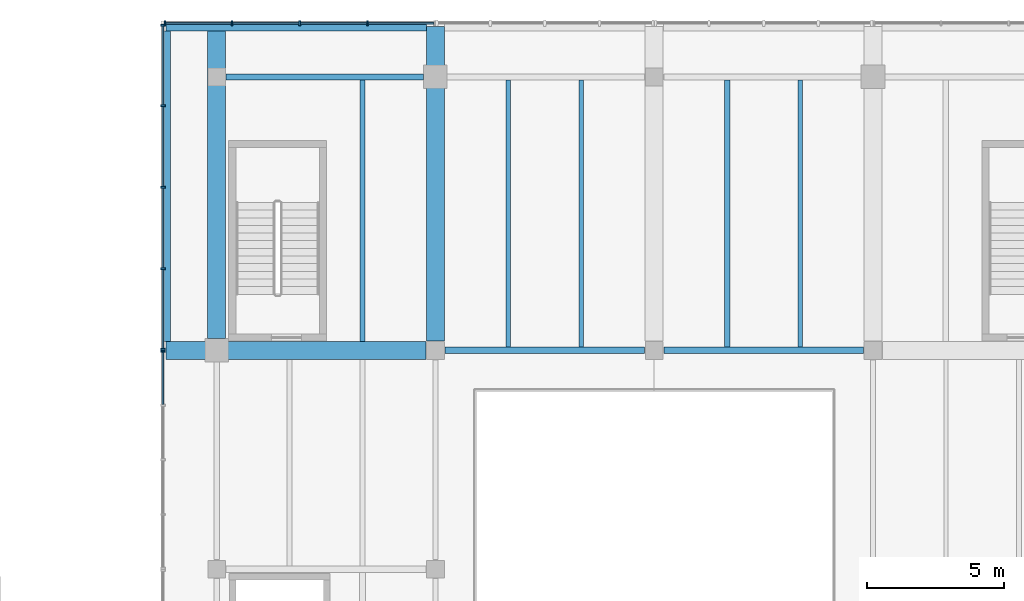
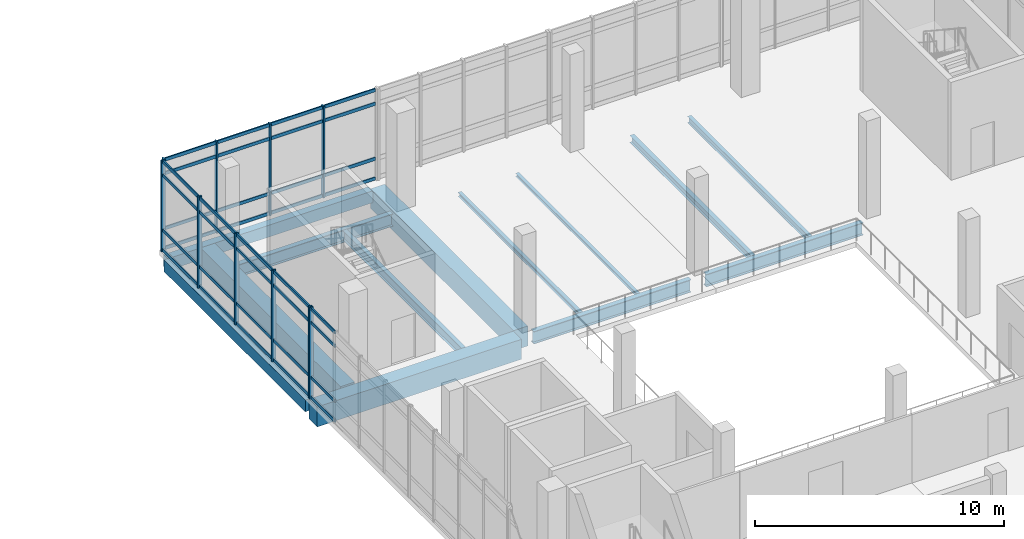
# One storey, part 12 of 28: 46 members, 13 beams, 3 elements without a shape of their own.
"""IFC4 building model written with IfcOpenShell, lengths in metres."""

from ifc_helpers import new_model, si_unit, direction, frame, origin, origin_2d, place, context, subcontext, project, spatial, rectangle, i_section, extrude, material, material_profile, profile_set, type_object, element, aggregate, save


model = new_model("IFC4")

# Units and contexts
model_context = context("Model", 3, precision=1e-05, world=origin(), true_north=direction((0.0, 1.0)))
body_context = subcontext(model_context, "Body", "Model", "MODEL_VIEW")
ifc_project = project(units=[si_unit("LENGTHUNIT", "METRE"), si_unit("AREAUNIT", "SQUARE_METRE"), si_unit("VOLUMEUNIT", "CUBIC_METRE"), si_unit("PLANEANGLEUNIT", "RADIAN"), si_unit("MASSUNIT", "GRAM", prefix="KILO")], contexts=[model_context])

# Site, building, storey
site_placement = place(None, origin())
site = spatial("IfcSite", under=ifc_project, at=site_placement, CompositionType="ELEMENT")
building_placement = place(site_placement, origin())
building = spatial("IfcBuilding", under=site, at=building_placement, Name="Pecanmere Concourse Central Library", CompositionType="ELEMENT")
storey_placement = place(building_placement, frame((0.0, 0.0, 20.10009765625)))
storey = spatial("IfcBuildingStorey", under=building, at=storey_placement, Name="L05", CompositionType="ELEMENT", Elevation=20.10009765625)

# Curtain wall, members
ifc_material_1 = material(Name="Anodized bronze aluminium alloy 6063-T6", Category="aluminium")
curtain_wall_type = type_object("IfcCurtainWallType", Name="CW_PLUMB_BANDED", PredefinedType="USERDEFINED", material=ifc_material_1)
curtain_wall_1_placement = place(storey_placement, origin())
curtain_wall_1 = element("IfcCurtainWall", 1, at=curtain_wall_1_placement, inside=storey, type_object=curtain_wall_type, Name="Unitised Curtain Wall CW-02 L05-057", ObjectType="UNITISED CURTAIN WALL", PredefinedType="USERDEFINED")
ifc_material_2 = material(Name="Anodized bronze aluminium alloy 6063-T6", Category="aluminium")
ifc_material_profile_1 = material_profile(ifc_material_2, rectangle(XDim=0.06494140625, YDim=0.179931640625, at=origin_2d()), Name="AL 65x180")
ifc_profile_set_1 = profile_set([ifc_material_profile_1], Name="Anodized bronze aluminium alloy 6063-T6")
member_type_1 = type_object("IfcMemberType", Name="CWM_180x65", PredefinedType="MULLION", material=ifc_profile_set_1)
member_1_placement = place(storey_placement, frame((77.515869140625, 125.96142578125, 0.0), z_axis=(0.0, 0.0, 1.0), x_axis=(-1.0, 0.0, 0.0)))
member_1 = element("IfcMember", 2, at=member_1_placement, type_object=member_type_1, Name="CW-02 Mullion 2", PredefinedType="MULLION", context=body_context, shape_type="SweptSolid", body=[
    extrude(rectangle(XDim=0.06494140625, YDim=0.179931640625, at=origin_2d()), origin(), (0.0, 0.0, 1.0), 4.5),
])
member_2_placement = place(storey_placement, frame((75.036865234375, 125.96142578125, 0.0), z_axis=(0.0, 0.0, 1.0), x_axis=(-1.0, 0.0, 0.0)))
member_2 = element("IfcMember", 3, at=member_2_placement, type_object=member_type_1, Name="CW-02 Mullion 3", PredefinedType="MULLION", context=body_context, shape_type="SweptSolid", body=[
    extrude(rectangle(XDim=0.06494140625, YDim=0.179931640625, at=origin_2d()), origin(), (0.0, 0.0, 1.0), 4.5),
])
member_3_placement = place(storey_placement, frame((72.5576171875, 125.96142578125, 0.0), z_axis=(0.0, 0.0, 1.0), x_axis=(-1.0, 0.0, 0.0)))
member_3 = element("IfcMember", 4, at=member_3_placement, type_object=member_type_1, Name="CW-02 Mullion 4", PredefinedType="MULLION", context=body_context, shape_type="SweptSolid", body=[
    extrude(rectangle(XDim=0.06494140625, YDim=0.179931640625, at=origin_2d()), origin(), (0.0, 0.0, 1.0), 4.5),
])
member_4_placement = place(storey_placement, frame((70.111083984375, 125.96142578125, 0.0), z_axis=(0.0, 0.0, 1.0), x_axis=(-1.0, 0.0, 0.0)))
member_4 = element("IfcMember", 5, at=member_4_placement, type_object=member_type_1, Name="CW-02 Mullion 5", PredefinedType="MULLION", context=body_context, shape_type="SweptSolid", body=[
    extrude(rectangle(XDim=0.06494140625, YDim=0.179931640625, at=origin_2d()), origin(), (0.0, 0.0, 1.0), 4.5),
])

curtain_wall_2_placement = place(storey_placement, origin())
curtain_wall_2 = element("IfcCurtainWall", 6, at=curtain_wall_2_placement, inside=storey, type_object=curtain_wall_type, Name="Unitised Curtain Wall CW-02 L05-066", ObjectType="UNITISED CURTAIN WALL", PredefinedType="USERDEFINED")
member_5_placement = place(storey_placement, frame((70.03857421875, 125.888916015625, 0.0), z_axis=(0.0, 0.0, 1.0), x_axis=(0.0, -1.0, 0.0)))
member_5 = element("IfcMember", 7, at=member_5_placement, type_object=member_type_1, Name="CW-02 Mullion 1", PredefinedType="MULLION", context=body_context, shape_type="SweptSolid", body=[
    extrude(rectangle(XDim=0.06494140625, YDim=0.179931640625, at=origin_2d()), origin(), (0.0, 0.0, 1.0), 4.5),
])
member_6_placement = place(storey_placement, frame((70.03857421875, 122.9423828125, 0.0), z_axis=(0.0, 0.0, 1.0), x_axis=(0.0, -1.0, 0.0)))
member_6 = element("IfcMember", 8, at=member_6_placement, type_object=member_type_1, Name="CW-02 Mullion 2", PredefinedType="MULLION", context=body_context, shape_type="SweptSolid", body=[
    extrude(rectangle(XDim=0.06494140625, YDim=0.179931640625, at=origin_2d()), origin(), (0.0, 0.0, 1.0), 4.5),
])
member_7_placement = place(storey_placement, frame((70.03857421875, 119.963134765625, 0.0), z_axis=(0.0, 0.0, 1.0), x_axis=(0.0, -1.0, 0.0)))
member_7 = element("IfcMember", 9, at=member_7_placement, type_object=member_type_1, Name="CW-02 Mullion 3", PredefinedType="MULLION", context=body_context, shape_type="SweptSolid", body=[
    extrude(rectangle(XDim=0.06494140625, YDim=0.179931640625, at=origin_2d()), origin(), (0.0, 0.0, 1.0), 4.5),
])
member_8_placement = place(storey_placement, frame((70.03857421875, 116.984130859375, 0.0), z_axis=(0.0, 0.0, 1.0), x_axis=(0.0, -1.0, 0.0)))
member_8 = element("IfcMember", 10, at=member_8_placement, type_object=member_type_1, Name="CW-02 Mullion 4", PredefinedType="MULLION", context=body_context, shape_type="SweptSolid", body=[
    extrude(rectangle(XDim=0.06494140625, YDim=0.179931640625, at=origin_2d()), origin(), (0.0, 0.0, 1.0), 4.5),
])
member_9_placement = place(storey_placement, frame((70.03857421875, 114.03759765625, 0.0), z_axis=(0.0, 0.0, 1.0), x_axis=(0.0, -1.0, 0.0)))
member_9 = element("IfcMember", 11, at=member_9_placement, type_object=member_type_1, Name="CW-02 Mullion 5", PredefinedType="MULLION", context=body_context, shape_type="SweptSolid", body=[
    extrude(rectangle(XDim=0.06494140625, YDim=0.179931640625, at=origin_2d()), origin(), (0.0, 0.0, 1.0), 4.5),
])

# Curtain wall, member
curtain_wall_3_placement = place(storey_placement, origin())
curtain_wall_3 = element("IfcCurtainWall", 12, at=curtain_wall_3_placement, inside=storey, type_object=curtain_wall_type, Name="Unitised Curtain Wall CW-02 L05-067", ObjectType="UNITISED CURTAIN WALL", PredefinedType="USERDEFINED")
member_10_placement = place(storey_placement, frame((70.03857421875, 113.96240234375, 0.0), z_axis=(0.0, 0.0, 1.0), x_axis=(0.0, -1.0, 0.0)))
member_10 = element("IfcMember", 13, at=member_10_placement, type_object=member_type_1, Name="CW-02 Mullion 1", PredefinedType="MULLION", context=body_context, shape_type="SweptSolid", body=[
    extrude(rectangle(XDim=0.06494140625, YDim=0.179931640625, at=origin_2d()), origin(), (0.0, 0.0, 1.0), 4.5),
])

# Member
ifc_material_3 = material(Name="Anodized bronze aluminium alloy 6063-T6", Category="aluminium")
ifc_material_profile_2 = material_profile(ifc_material_3, rectangle(XDim=0.06005859375, YDim=0.159912109375, at=origin_2d()), Name="AL 60x160")
ifc_profile_set_2 = profile_set([ifc_material_profile_2], Name="Anodized bronze aluminium alloy 6063-T6")
member_type_2 = type_object("IfcMemberType", Name="CWT_160x60", PredefinedType="USERDEFINED", material=ifc_profile_set_2)
member_11_placement = place(storey_placement, frame((79.929931640625, 125.96142578125, 0.079833984375), z_axis=(-1.0, 0.0, 0.0), x_axis=(0.0, -1.0, 0.0)))
member_11 = element("IfcMember", 14, at=member_11_placement, type_object=member_type_2, Name="CW-02 Transom 1.1", ObjectType="TRANSOM", PredefinedType="USERDEFINED", context=body_context, shape_type="SweptSolid", body=[
    extrude(rectangle(XDim=0.06005859375, YDim=0.159912109375, at=origin_2d()), origin(), (0.0, 0.0, 1.0), 2.381591796875),
])

member_12_placement = place(storey_placement, frame((79.929931640625, 125.96142578125, 1.0498046875), z_axis=(-1.0, 0.0, 0.0), x_axis=(0.0, -1.0, 0.0)))
member_12 = element("IfcMember", 15, at=member_12_placement, type_object=member_type_2, Name="CW-02 Transom 1.2", ObjectType="TRANSOM", PredefinedType="USERDEFINED", context=body_context, shape_type="SweptSolid", body=[
    extrude(rectangle(XDim=0.06005859375, YDim=0.159912109375, at=origin_2d()), origin(), (0.0, 0.0, 1.0), 2.381591796875),
])

member_13_placement = place(storey_placement, frame((79.929931640625, 125.96142578125, 3.75), z_axis=(-1.0, 0.0, 0.0), x_axis=(0.0, -1.0, 0.0)))
member_13 = element("IfcMember", 16, at=member_13_placement, type_object=member_type_2, Name="CW-02 Transom 1.3", ObjectType="TRANSOM", PredefinedType="USERDEFINED", context=body_context, shape_type="SweptSolid", body=[
    extrude(rectangle(XDim=0.06005859375, YDim=0.159912109375, at=origin_2d()), origin(), (0.0, 0.0, 1.0), 2.381591796875),
])

member_14_placement = place(storey_placement, frame((79.929931640625, 125.96142578125, 4.419921875), z_axis=(-1.0, 0.0, 0.0), x_axis=(0.0, -1.0, 0.0)))
member_14 = element("IfcMember", 17, at=member_14_placement, type_object=member_type_2, Name="CW-02 Transom 1.4", ObjectType="TRANSOM", PredefinedType="USERDEFINED", context=body_context, shape_type="SweptSolid", body=[
    extrude(rectangle(XDim=0.06005859375, YDim=0.159912109375, at=origin_2d()), origin(), (0.0, 0.0, 1.0), 2.381591796875),
])

member_15_placement = place(storey_placement, frame((77.4833984375, 125.96142578125, 0.079833984375), z_axis=(-1.0, 0.0, 0.0), x_axis=(0.0, -1.0, 0.0)))
member_15 = element("IfcMember", 18, at=member_15_placement, type_object=member_type_2, Name="CW-02 Transom 2.1", ObjectType="TRANSOM", PredefinedType="USERDEFINED", context=body_context, shape_type="SweptSolid", body=[
    extrude(rectangle(XDim=0.06005859375, YDim=0.159912109375, at=origin_2d()), origin(), (0.0, 0.0, 1.0), 2.4140625),
])

member_16_placement = place(storey_placement, frame((77.4833984375, 125.96142578125, 1.0498046875), z_axis=(-1.0, 0.0, 0.0), x_axis=(0.0, -1.0, 0.0)))
member_16 = element("IfcMember", 19, at=member_16_placement, type_object=member_type_2, Name="CW-02 Transom 2.2", ObjectType="TRANSOM", PredefinedType="USERDEFINED", context=body_context, shape_type="SweptSolid", body=[
    extrude(rectangle(XDim=0.06005859375, YDim=0.159912109375, at=origin_2d()), origin(), (0.0, 0.0, 1.0), 2.4140625),
])

member_17_placement = place(storey_placement, frame((77.4833984375, 125.96142578125, 3.75), z_axis=(-1.0, 0.0, 0.0), x_axis=(0.0, -1.0, 0.0)))
member_17 = element("IfcMember", 20, at=member_17_placement, type_object=member_type_2, Name="CW-02 Transom 2.3", ObjectType="TRANSOM", PredefinedType="USERDEFINED", context=body_context, shape_type="SweptSolid", body=[
    extrude(rectangle(XDim=0.06005859375, YDim=0.159912109375, at=origin_2d()), origin(), (0.0, 0.0, 1.0), 2.4140625),
])

member_18_placement = place(storey_placement, frame((77.4833984375, 125.96142578125, 4.419921875), z_axis=(-1.0, 0.0, 0.0), x_axis=(0.0, -1.0, 0.0)))
member_18 = element("IfcMember", 21, at=member_18_placement, type_object=member_type_2, Name="CW-02 Transom 2.4", ObjectType="TRANSOM", PredefinedType="USERDEFINED", context=body_context, shape_type="SweptSolid", body=[
    extrude(rectangle(XDim=0.06005859375, YDim=0.159912109375, at=origin_2d()), origin(), (0.0, 0.0, 1.0), 2.4140625),
])

member_19_placement = place(storey_placement, frame((75.004150390625, 125.96142578125, 0.079833984375), z_axis=(-1.0, 0.0, 0.0), x_axis=(0.0, -1.0, 0.0)))
member_19 = element("IfcMember", 22, at=member_19_placement, type_object=member_type_2, Name="CW-02 Transom 3.1", ObjectType="TRANSOM", PredefinedType="USERDEFINED", context=body_context, shape_type="SweptSolid", body=[
    extrude(rectangle(XDim=0.06005859375, YDim=0.159912109375, at=origin_2d()), origin(), (0.0, 0.0, 1.0), 2.4140625),
])

member_20_placement = place(storey_placement, frame((75.004150390625, 125.96142578125, 1.0498046875), z_axis=(-1.0, 0.0, 0.0), x_axis=(0.0, -1.0, 0.0)))
member_20 = element("IfcMember", 23, at=member_20_placement, type_object=member_type_2, Name="CW-02 Transom 3.2", ObjectType="TRANSOM", PredefinedType="USERDEFINED", context=body_context, shape_type="SweptSolid", body=[
    extrude(rectangle(XDim=0.06005859375, YDim=0.159912109375, at=origin_2d()), origin(), (0.0, 0.0, 1.0), 2.4140625),
])

member_21_placement = place(storey_placement, frame((75.004150390625, 125.96142578125, 3.75), z_axis=(-1.0, 0.0, 0.0), x_axis=(0.0, -1.0, 0.0)))
member_21 = element("IfcMember", 24, at=member_21_placement, type_object=member_type_2, Name="CW-02 Transom 3.3", ObjectType="TRANSOM", PredefinedType="USERDEFINED", context=body_context, shape_type="SweptSolid", body=[
    extrude(rectangle(XDim=0.06005859375, YDim=0.159912109375, at=origin_2d()), origin(), (0.0, 0.0, 1.0), 2.4140625),
])

member_22_placement = place(storey_placement, frame((75.004150390625, 125.96142578125, 4.419921875), z_axis=(-1.0, 0.0, 0.0), x_axis=(0.0, -1.0, 0.0)))
member_22 = element("IfcMember", 25, at=member_22_placement, type_object=member_type_2, Name="CW-02 Transom 3.4", ObjectType="TRANSOM", PredefinedType="USERDEFINED", context=body_context, shape_type="SweptSolid", body=[
    extrude(rectangle(XDim=0.06005859375, YDim=0.159912109375, at=origin_2d()), origin(), (0.0, 0.0, 1.0), 2.4140625),
])

member_23_placement = place(storey_placement, frame((72.525146484375, 125.96142578125, 0.079833984375), z_axis=(-1.0, 0.0, 0.0), x_axis=(0.0, -1.0, 0.0)))
member_23 = element("IfcMember", 26, at=member_23_placement, type_object=member_type_2, Name="CW-02 Transom 4.1", ObjectType="TRANSOM", PredefinedType="USERDEFINED", context=body_context, shape_type="SweptSolid", body=[
    extrude(rectangle(XDim=0.06005859375, YDim=0.159912109375, at=origin_2d()), origin(), (0.0, 0.0, 1.0), 2.381591796875),
])

member_24_placement = place(storey_placement, frame((72.525146484375, 125.96142578125, 1.0498046875), z_axis=(-1.0, 0.0, 0.0), x_axis=(0.0, -1.0, 0.0)))
member_24 = element("IfcMember", 27, at=member_24_placement, type_object=member_type_2, Name="CW-02 Transom 4.2", ObjectType="TRANSOM", PredefinedType="USERDEFINED", context=body_context, shape_type="SweptSolid", body=[
    extrude(rectangle(XDim=0.06005859375, YDim=0.159912109375, at=origin_2d()), origin(), (0.0, 0.0, 1.0), 2.381591796875),
])

member_25_placement = place(storey_placement, frame((72.525146484375, 125.96142578125, 3.75), z_axis=(-1.0, 0.0, 0.0), x_axis=(0.0, -1.0, 0.0)))
member_25 = element("IfcMember", 28, at=member_25_placement, type_object=member_type_2, Name="CW-02 Transom 4.3", ObjectType="TRANSOM", PredefinedType="USERDEFINED", context=body_context, shape_type="SweptSolid", body=[
    extrude(rectangle(XDim=0.06005859375, YDim=0.159912109375, at=origin_2d()), origin(), (0.0, 0.0, 1.0), 2.381591796875),
])

member_26_placement = place(storey_placement, frame((72.525146484375, 125.96142578125, 4.419921875), z_axis=(-1.0, 0.0, 0.0), x_axis=(0.0, -1.0, 0.0)))
member_26 = element("IfcMember", 29, at=member_26_placement, type_object=member_type_2, Name="CW-02 Transom 4.4", ObjectType="TRANSOM", PredefinedType="USERDEFINED", context=body_context, shape_type="SweptSolid", body=[
    extrude(rectangle(XDim=0.06005859375, YDim=0.159912109375, at=origin_2d()), origin(), (0.0, 0.0, 1.0), 2.381591796875),
])

aggregate(curtain_wall_1, [member_1, member_2, member_3, member_4, member_11, member_12, member_13, member_14, member_15, member_16, member_17, member_18, member_19, member_20, member_21, member_22, member_23, member_24, member_25, member_26])

member_27_placement = place(storey_placement, frame((70.03857421875, 125.8564453125, 0.079833984375), z_axis=(0.0, -1.0, 0.0), x_axis=(1.0, 0.0, 0.0)))
member_27 = element("IfcMember", 30, at=member_27_placement, type_object=member_type_2, Name="CW-02 Transom 1.1", ObjectType="TRANSOM", PredefinedType="USERDEFINED", context=body_context, shape_type="SweptSolid", body=[
    extrude(rectangle(XDim=0.06005859375, YDim=0.159912109375, at=origin_2d()), origin(), (0.0, 0.0, 1.0), 2.881591796875),
])

member_28_placement = place(storey_placement, frame((70.03857421875, 125.8564453125, 1.0498046875), z_axis=(0.0, -1.0, 0.0), x_axis=(1.0, 0.0, 0.0)))
member_28 = element("IfcMember", 31, at=member_28_placement, type_object=member_type_2, Name="CW-02 Transom 1.2", ObjectType="TRANSOM", PredefinedType="USERDEFINED", context=body_context, shape_type="SweptSolid", body=[
    extrude(rectangle(XDim=0.06005859375, YDim=0.159912109375, at=origin_2d()), origin(), (0.0, 0.0, 1.0), 2.881591796875),
])

member_29_placement = place(storey_placement, frame((70.03857421875, 125.8564453125, 3.75), z_axis=(0.0, -1.0, 0.0), x_axis=(1.0, 0.0, 0.0)))
member_29 = element("IfcMember", 32, at=member_29_placement, type_object=member_type_2, Name="CW-02 Transom 1.3", ObjectType="TRANSOM", PredefinedType="USERDEFINED", context=body_context, shape_type="SweptSolid", body=[
    extrude(rectangle(XDim=0.06005859375, YDim=0.159912109375, at=origin_2d()), origin(), (0.0, 0.0, 1.0), 2.881591796875),
])

member_30_placement = place(storey_placement, frame((70.03857421875, 125.8564453125, 4.419921875), z_axis=(0.0, -1.0, 0.0), x_axis=(1.0, 0.0, 0.0)))
member_30 = element("IfcMember", 33, at=member_30_placement, type_object=member_type_2, Name="CW-02 Transom 1.4", ObjectType="TRANSOM", PredefinedType="USERDEFINED", context=body_context, shape_type="SweptSolid", body=[
    extrude(rectangle(XDim=0.06005859375, YDim=0.159912109375, at=origin_2d()), origin(), (0.0, 0.0, 1.0), 2.881591796875),
])

member_31_placement = place(storey_placement, frame((70.03857421875, 122.909912109375, 0.079833984375), z_axis=(0.0, -1.0, 0.0), x_axis=(1.0, 0.0, 0.0)))
member_31 = element("IfcMember", 34, at=member_31_placement, type_object=member_type_2, Name="CW-02 Transom 2.1", ObjectType="TRANSOM", PredefinedType="USERDEFINED", context=body_context, shape_type="SweptSolid", body=[
    extrude(rectangle(XDim=0.06005859375, YDim=0.159912109375, at=origin_2d()), origin(), (0.0, 0.0, 1.0), 2.9140625),
])

member_32_placement = place(storey_placement, frame((70.03857421875, 122.909912109375, 1.0498046875), z_axis=(0.0, -1.0, 0.0), x_axis=(1.0, 0.0, 0.0)))
member_32 = element("IfcMember", 35, at=member_32_placement, type_object=member_type_2, Name="CW-02 Transom 2.2", ObjectType="TRANSOM", PredefinedType="USERDEFINED", context=body_context, shape_type="SweptSolid", body=[
    extrude(rectangle(XDim=0.06005859375, YDim=0.159912109375, at=origin_2d()), origin(), (0.0, 0.0, 1.0), 2.9140625),
])

member_33_placement = place(storey_placement, frame((70.03857421875, 122.909912109375, 3.75), z_axis=(0.0, -1.0, 0.0), x_axis=(1.0, 0.0, 0.0)))
member_33 = element("IfcMember", 36, at=member_33_placement, type_object=member_type_2, Name="CW-02 Transom 2.3", ObjectType="TRANSOM", PredefinedType="USERDEFINED", context=body_context, shape_type="SweptSolid", body=[
    extrude(rectangle(XDim=0.06005859375, YDim=0.159912109375, at=origin_2d()), origin(), (0.0, 0.0, 1.0), 2.9140625),
])

member_34_placement = place(storey_placement, frame((70.03857421875, 122.909912109375, 4.419921875), z_axis=(0.0, -1.0, 0.0), x_axis=(1.0, 0.0, 0.0)))
member_34 = element("IfcMember", 37, at=member_34_placement, type_object=member_type_2, Name="CW-02 Transom 2.4", ObjectType="TRANSOM", PredefinedType="USERDEFINED", context=body_context, shape_type="SweptSolid", body=[
    extrude(rectangle(XDim=0.06005859375, YDim=0.159912109375, at=origin_2d()), origin(), (0.0, 0.0, 1.0), 2.9140625),
])

member_35_placement = place(storey_placement, frame((70.03857421875, 119.9306640625, 0.079833984375), z_axis=(0.0, -1.0, 0.0), x_axis=(1.0, 0.0, 0.0)))
member_35 = element("IfcMember", 38, at=member_35_placement, type_object=member_type_2, Name="CW-02 Transom 3.1", ObjectType="TRANSOM", PredefinedType="USERDEFINED", context=body_context, shape_type="SweptSolid", body=[
    extrude(rectangle(XDim=0.06005859375, YDim=0.159912109375, at=origin_2d()), origin(), (0.0, 0.0, 1.0), 2.9140625),
])

member_36_placement = place(storey_placement, frame((70.03857421875, 119.9306640625, 1.0498046875), z_axis=(0.0, -1.0, 0.0), x_axis=(1.0, 0.0, 0.0)))
member_36 = element("IfcMember", 39, at=member_36_placement, type_object=member_type_2, Name="CW-02 Transom 3.2", ObjectType="TRANSOM", PredefinedType="USERDEFINED", context=body_context, shape_type="SweptSolid", body=[
    extrude(rectangle(XDim=0.06005859375, YDim=0.159912109375, at=origin_2d()), origin(), (0.0, 0.0, 1.0), 2.9140625),
])

member_37_placement = place(storey_placement, frame((70.03857421875, 119.9306640625, 3.75), z_axis=(0.0, -1.0, 0.0), x_axis=(1.0, 0.0, 0.0)))
member_37 = element("IfcMember", 40, at=member_37_placement, type_object=member_type_2, Name="CW-02 Transom 3.3", ObjectType="TRANSOM", PredefinedType="USERDEFINED", context=body_context, shape_type="SweptSolid", body=[
    extrude(rectangle(XDim=0.06005859375, YDim=0.159912109375, at=origin_2d()), origin(), (0.0, 0.0, 1.0), 2.9140625),
])

member_38_placement = place(storey_placement, frame((70.03857421875, 119.9306640625, 4.419921875), z_axis=(0.0, -1.0, 0.0), x_axis=(1.0, 0.0, 0.0)))
member_38 = element("IfcMember", 41, at=member_38_placement, type_object=member_type_2, Name="CW-02 Transom 3.4", ObjectType="TRANSOM", PredefinedType="USERDEFINED", context=body_context, shape_type="SweptSolid", body=[
    extrude(rectangle(XDim=0.06005859375, YDim=0.159912109375, at=origin_2d()), origin(), (0.0, 0.0, 1.0), 2.9140625),
])

member_39_placement = place(storey_placement, frame((70.03857421875, 116.95166015625, 0.079833984375), z_axis=(0.0, -1.0, 0.0), x_axis=(1.0, 0.0, 0.0)))
member_39 = element("IfcMember", 42, at=member_39_placement, type_object=member_type_2, Name="CW-02 Transom 4.1", ObjectType="TRANSOM", PredefinedType="USERDEFINED", context=body_context, shape_type="SweptSolid", body=[
    extrude(rectangle(XDim=0.06005859375, YDim=0.159912109375, at=origin_2d()), origin(), (0.0, 0.0, 1.0), 2.881591796875),
])

member_40_placement = place(storey_placement, frame((70.03857421875, 116.95166015625, 1.0498046875), z_axis=(0.0, -1.0, 0.0), x_axis=(1.0, 0.0, 0.0)))
member_40 = element("IfcMember", 43, at=member_40_placement, type_object=member_type_2, Name="CW-02 Transom 4.2", ObjectType="TRANSOM", PredefinedType="USERDEFINED", context=body_context, shape_type="SweptSolid", body=[
    extrude(rectangle(XDim=0.06005859375, YDim=0.159912109375, at=origin_2d()), origin(), (0.0, 0.0, 1.0), 2.881591796875),
])

member_41_placement = place(storey_placement, frame((70.03857421875, 116.95166015625, 3.75), z_axis=(0.0, -1.0, 0.0), x_axis=(1.0, 0.0, 0.0)))
member_41 = element("IfcMember", 44, at=member_41_placement, type_object=member_type_2, Name="CW-02 Transom 4.3", ObjectType="TRANSOM", PredefinedType="USERDEFINED", context=body_context, shape_type="SweptSolid", body=[
    extrude(rectangle(XDim=0.06005859375, YDim=0.159912109375, at=origin_2d()), origin(), (0.0, 0.0, 1.0), 2.881591796875),
])

member_42_placement = place(storey_placement, frame((70.03857421875, 116.95166015625, 4.419921875), z_axis=(0.0, -1.0, 0.0), x_axis=(1.0, 0.0, 0.0)))
member_42 = element("IfcMember", 45, at=member_42_placement, type_object=member_type_2, Name="CW-02 Transom 4.4", ObjectType="TRANSOM", PredefinedType="USERDEFINED", context=body_context, shape_type="SweptSolid", body=[
    extrude(rectangle(XDim=0.06005859375, YDim=0.159912109375, at=origin_2d()), origin(), (0.0, 0.0, 1.0), 2.881591796875),
])

aggregate(curtain_wall_2, [member_5, member_6, member_7, member_8, member_9, member_27, member_28, member_29, member_30, member_31, member_32, member_33, member_34, member_35, member_36, member_37, member_38, member_39, member_40, member_41, member_42])

member_43_placement = place(storey_placement, frame((70.03857421875, 113.929931640625, 0.079833984375), z_axis=(0.0, -1.0, 0.0), x_axis=(1.0, 0.0, 0.0)))
member_43 = element("IfcMember", 46, at=member_43_placement, type_object=member_type_2, Name="CW-02 Transom 1.1", ObjectType="TRANSOM", PredefinedType="USERDEFINED", context=body_context, shape_type="SweptSolid", body=[
    extrude(rectangle(XDim=0.06005859375, YDim=0.159912109375, at=origin_2d()), origin(), (0.0, 0.0, 1.0), 1.89990234375),
])

member_44_placement = place(storey_placement, frame((70.03857421875, 113.929931640625, 1.0498046875), z_axis=(0.0, -1.0, 0.0), x_axis=(1.0, 0.0, 0.0)))
member_44 = element("IfcMember", 47, at=member_44_placement, type_object=member_type_2, Name="CW-02 Transom 1.2", ObjectType="TRANSOM", PredefinedType="USERDEFINED", context=body_context, shape_type="SweptSolid", body=[
    extrude(rectangle(XDim=0.06005859375, YDim=0.159912109375, at=origin_2d()), origin(), (0.0, 0.0, 1.0), 1.89990234375),
])

member_45_placement = place(storey_placement, frame((70.03857421875, 113.929931640625, 3.75), z_axis=(0.0, -1.0, 0.0), x_axis=(1.0, 0.0, 0.0)))
member_45 = element("IfcMember", 48, at=member_45_placement, type_object=member_type_2, Name="CW-02 Transom 1.3", ObjectType="TRANSOM", PredefinedType="USERDEFINED", context=body_context, shape_type="SweptSolid", body=[
    extrude(rectangle(XDim=0.06005859375, YDim=0.159912109375, at=origin_2d()), origin(), (0.0, 0.0, 1.0), 1.89990234375),
])

member_46_placement = place(storey_placement, frame((70.03857421875, 113.929931640625, 4.419921875), z_axis=(0.0, -1.0, 0.0), x_axis=(1.0, 0.0, 0.0)))
member_46 = element("IfcMember", 49, at=member_46_placement, type_object=member_type_2, Name="CW-02 Transom 1.4", ObjectType="TRANSOM", PredefinedType="USERDEFINED", context=body_context, shape_type="SweptSolid", body=[
    extrude(rectangle(XDim=0.06005859375, YDim=0.159912109375, at=origin_2d()), origin(), (0.0, 0.0, 1.0), 1.89990234375),
])

aggregate(curtain_wall_3, [member_10, member_43, member_44, member_45, member_46])

# Beams
ifc_material_4 = material(Name="Concrete C40/50", Category="concrete")
ifc_material_profile_3 = material_profile(ifc_material_4, rectangle(XDim=0.659912109375, YDim=0.97998046875, at=origin_2d()), Name="RC 660x980")
ifc_profile_set_3 = profile_set([ifc_material_profile_3], Name="Concrete C40/50")
beam_type_1 = type_object("IfcBeamType", Name="GRD_660x980", PredefinedType="USERDEFINED", material=ifc_profile_set_3)
beam_1_placement = place(storey_placement, frame((70.1484375, 114.0, -0.77001953125), z_axis=(1.0, 0.0, 0.0), x_axis=(0.0, 1.0, 0.0)))
element("IfcBeam", 50, at=beam_1_placement, inside=storey, type_object=beam_type_1, Name="Primary Girder X L05-2476", ObjectType="GIRDER", PredefinedType="USERDEFINED", context=body_context, shape_type="SweptSolid", body=[
    extrude(rectangle(XDim=0.659912109375, YDim=0.97998046875, at=origin_2d()), origin(), (0.0, 0.0, 1.0), 9.50146484375),
])
beam_2_placement = place(storey_placement, frame((72.0, 114.429931640625, -0.77001953125), z_axis=(0.0, 1.0, 0.0), x_axis=(-1.0, 0.0, 0.0)))
element("IfcBeam", 51, at=beam_2_placement, inside=storey, type_object=beam_type_1, Name="Primary Girder Y L05-2508", ObjectType="GIRDER", PredefinedType="USERDEFINED", context=body_context, shape_type="SweptSolid", body=[
    extrude(rectangle(XDim=0.659912109375, YDim=0.97998046875, at=origin_2d()), origin(), (0.0, 0.0, 1.0), 11.25146484375),
])
beam_3_placement = place(storey_placement, frame((80.0, 114.35009765625, -0.77001953125), z_axis=(0.0, 1.0, 0.0), x_axis=(-1.0, 0.0, 0.0)))
element("IfcBeam", 52, at=beam_3_placement, inside=storey, type_object=beam_type_1, Name="Primary Girder Y L05-2512", ObjectType="GIRDER", PredefinedType="USERDEFINED", context=body_context, shape_type="SweptSolid", body=[
    extrude(rectangle(XDim=0.659912109375, YDim=0.97998046875, at=origin_2d()), origin(), (0.0, 0.0, 1.0), 11.50146484375),
])
ifc_material_5 = material(Name="Structural steel ASTM A992 Grade 50", Category="steel")
ifc_material_profile_4 = material_profile(ifc_material_5, i_section(OverallWidth=0.152099609375, OverallDepth=0.152099609375, WebThickness=0.005859375, FlangeThickness=0.006591796875, at=origin_2d()), Name="W150x22.5")
ifc_profile_set_4 = profile_set([ifc_material_profile_4], Name="Structural steel ASTM A992 Grade 50")
beam_type_2 = type_object("IfcBeamType", Name="SBM_W150x22", PredefinedType="LINTEL", material=ifc_profile_set_4)
beam_4_placement = place(storey_placement, frame((85.333251953125, 114.114990234375, -0.356201171875), z_axis=(0.0, 1.0, 0.0), x_axis=(-1.0, 0.0, 0.0)))
element("IfcBeam", 53, at=beam_4_placement, inside=storey, type_object=beam_type_2, Name="Secondary Floor Joist L05-2588", PredefinedType="LINTEL", context=body_context, shape_type="SweptSolid", body=[
    extrude(i_section(OverallWidth=0.152099609375, OverallDepth=0.152099609375, WebThickness=0.005859375, FlangeThickness=0.006591796875, at=origin_2d()), origin(), (0.0, 0.0, 1.0), 9.77001953125),
])
ifc_material_6 = material(Name="Structural steel ASTM A992 Grade 50", Category="steel")
ifc_material_profile_5 = material_profile(ifc_material_6, i_section(OverallWidth=0.1650390625, OverallDepth=0.200927734375, WebThickness=0.006103515625, FlangeThickness=0.01025390625, at=origin_2d()), Name="W200x35.9")
ifc_profile_set_5 = profile_set([ifc_material_profile_5], Name="Structural steel ASTM A992 Grade 50")
beam_type_3 = type_object("IfcBeamType", Name="SBM_W200x36", PredefinedType="LINTEL", material=ifc_profile_set_5)
beam_5_placement = place(storey_placement, frame((82.666748046875, 114.114990234375, -0.380615234375), z_axis=(0.0, 1.0, 0.0), x_axis=(-1.0, 0.0, 0.0)))
element("IfcBeam", 54, at=beam_5_placement, inside=storey, type_object=beam_type_3, Name="Secondary Floor Joist L05-2587", PredefinedType="LINTEL", context=body_context, shape_type="SweptSolid", body=[
    extrude(i_section(OverallWidth=0.1650390625, OverallDepth=0.200927734375, WebThickness=0.006103515625, FlangeThickness=0.01025390625, at=origin_2d()), origin(), (0.0, 0.0, 1.0), 9.77001953125),
])
ifc_material_7 = material(Name="Structural steel ASTM A992 Grade 50", Category="steel")
ifc_material_profile_6 = material_profile(ifc_material_7, i_section(OverallWidth=0.1669921875, OverallDepth=0.31689453125, WebThickness=0.007568359375, FlangeThickness=0.01318359375, at=origin_2d()), Name="W310x52")
ifc_profile_set_6 = profile_set([ifc_material_profile_6], Name="Structural steel ASTM A992 Grade 50")
beam_type_4 = type_object("IfcBeamType", Name="SBM_W310x52", PredefinedType="JOIST", material=ifc_profile_set_6)
beam_6_placement = place(storey_placement, frame((93.333251953125, 114.114990234375, -0.4384765625), z_axis=(0.0, 1.0, 0.0), x_axis=(-1.0, 0.0, 0.0)))
element("IfcBeam", 55, at=beam_6_placement, inside=storey, type_object=beam_type_4, Name="Secondary Floor Joist L05-2592", PredefinedType="JOIST", context=body_context, shape_type="SweptSolid", body=[
    extrude(i_section(OverallWidth=0.1669921875, OverallDepth=0.31689453125, WebThickness=0.007568359375, FlangeThickness=0.01318359375, at=origin_2d()), origin(), (0.0, 0.0, 1.0), 9.77001953125),
])
ifc_material_8 = material(Name="Structural steel ASTM A992 Grade 50", Category="steel")
ifc_material_profile_7 = material_profile(ifc_material_8, i_section(OverallWidth=0.202880859375, OverallDepth=0.346923828125, WebThickness=0.0078125, FlangeThickness=0.013427734375, at=origin_2d()), Name="W360x64")
ifc_profile_set_7 = profile_set([ifc_material_profile_7], Name="Structural steel ASTM A992 Grade 50")
beam_type_5 = type_object("IfcBeamType", Name="SBM_W360x64", PredefinedType="JOIST", material=ifc_profile_set_7)
beam_7_placement = place(storey_placement, frame((90.666748046875, 114.114990234375, -0.45361328125), z_axis=(0.0, 1.0, 0.0), x_axis=(-1.0, 0.0, 0.0)))
element("IfcBeam", 56, at=beam_7_placement, inside=storey, type_object=beam_type_5, Name="Secondary Floor Joist L05-2591", PredefinedType="JOIST", context=body_context, shape_type="SweptSolid", body=[
    extrude(i_section(OverallWidth=0.202880859375, OverallDepth=0.346923828125, WebThickness=0.0078125, FlangeThickness=0.013427734375, at=origin_2d()), origin(), (0.0, 0.0, 1.0), 9.77001953125),
])
ifc_material_9 = material(Name="Structural steel ASTM A992 Grade 50", Category="steel")
ifc_material_profile_8 = material_profile(ifc_material_9, i_section(OverallWidth=0.194091796875, OverallDepth=0.468994140625, WebThickness=0.0126953125, FlangeThickness=0.0205078125, at=origin_2d()), Name="W460x106")
ifc_profile_set_8 = profile_set([ifc_material_profile_8], Name="Structural steel ASTM A992 Grade 50")
beam_type_6 = type_object("IfcBeamType", Name="SBM_W460x106", PredefinedType="USERDEFINED", material=ifc_profile_set_8)
beam_8_placement = place(storey_placement, frame((77.333251953125, 114.330078125, -0.5146484375), z_axis=(0.0, 1.0, 0.0), x_axis=(-1.0, 0.0, 0.0)))
element("IfcBeam", 57, at=beam_8_placement, inside=storey, type_object=beam_type_6, Name="Secondary Floor Joist L05-2584", ObjectType="GIRDER", PredefinedType="USERDEFINED", context=body_context, shape_type="SweptSolid", body=[
    extrude(i_section(OverallWidth=0.194091796875, OverallDepth=0.468994140625, WebThickness=0.0126953125, FlangeThickness=0.0205078125, at=origin_2d()), origin(), (0.0, 0.0, 1.0), 9.554931640625),
])
ifc_material_10 = material(Name="Structural steel ASTM A992 Grade 50", Category="steel")
ifc_material_profile_9 = material_profile(ifc_material_10, i_section(OverallWidth=0.22998046875, OverallDepth=0.616943359375, WebThickness=0.01318359375, FlangeThickness=0.022216796875, at=origin_2d()), Name="W610x140")
ifc_profile_set_9 = profile_set([ifc_material_profile_9], Name="Structural steel ASTM A992 Grade 50")
beam_type_7 = type_object("IfcBeamType", Name="SBM_W610x140", PredefinedType="USERDEFINED", material=ifc_profile_set_9)
for number, where, z_axis, x_axis, name in (
    (58, (80.35009765625, 114.0, -0.588623046875), (1.0, 0.0, 0.0), (0.0, 1.0, 0.0), "Primary Girder X L05-2477"),
    (59, (88.35009765625, 114.0, -0.588623046875), (1.0, 0.0, 0.0), (0.0, 1.0, 0.0), "Primary Girder X L05-2478"),
):
    element("IfcBeam", number, at=place(storey_placement, frame(where, z_axis=z_axis, x_axis=x_axis)), inside=storey, type_object=beam_type_7, Name=name, ObjectType="GIRDER", PredefinedType="USERDEFINED", context=body_context, shape_type="SweptSolid", body=[
        extrude(i_section(OverallWidth=0.22998046875, OverallDepth=0.616943359375, WebThickness=0.01318359375, FlangeThickness=0.022216796875, at=origin_2d()), origin(), (0.0, 0.0, 1.0), 7.2998046875),
    ])
beam_9_placement = place(storey_placement, frame((72.35009765625, 124.0, -0.588623046875), z_axis=(1.0, 0.0, 0.0), x_axis=(0.0, 1.0, 0.0)))
element("IfcBeam", 60, at=beam_9_placement, inside=storey, type_object=beam_type_7, Name="Primary Girder X L05-2480", ObjectType="GIRDER", PredefinedType="USERDEFINED", context=body_context, shape_type="SweptSolid", body=[
    extrude(i_section(OverallWidth=0.22998046875, OverallDepth=0.616943359375, WebThickness=0.01318359375, FlangeThickness=0.022216796875, at=origin_2d()), origin(), (0.0, 0.0, 1.0), 7.219970703125),
])
ifc_material_11 = material(Name="Concrete C40/50", Category="concrete")
ifc_material_profile_10 = material_profile(ifc_material_11, rectangle(XDim=0.340087890625, YDim=0.580078125, at=origin_2d()), Name="RC 340x580")
ifc_profile_set_10 = profile_set([ifc_material_profile_10], Name="Concrete C40/50")
beam_type_8 = type_object("IfcBeamType", Name="SPB_340x580", PredefinedType="BEAM", material=ifc_profile_set_10)
beam_10_placement = place(storey_placement, frame((70.1484375, 125.8515625, -0.570068359375), z_axis=(1.0, 0.0, 0.0), x_axis=(0.0, 1.0, 0.0)))
element("IfcBeam", 61, at=beam_10_placement, inside=storey, type_object=beam_type_8, Name="Leaning Facade Edge Beam L05-2548", PredefinedType="BEAM", context=body_context, shape_type="SweptSolid", body=[
    extrude(rectangle(XDim=0.340087890625, YDim=0.580078125, at=origin_2d()), origin(), (0.0, 0.0, 1.0), 9.521484375),
])
beam_11_placement = place(storey_placement, frame((70.1484375, 114.330078125, -0.570068359375), z_axis=(0.0, 1.0, 0.0), x_axis=(-1.0, 0.0, 0.0)))
element("IfcBeam", 62, at=beam_11_placement, inside=storey, type_object=beam_type_8, Name="Leaning Facade Edge Beam L05-2552", PredefinedType="BEAM", context=body_context, shape_type="SweptSolid", body=[
    extrude(rectangle(XDim=0.340087890625, YDim=0.580078125, at=origin_2d()), origin(), (0.0, 0.0, 1.0), 11.351318359375),
])

save(model, "model.ifc")
